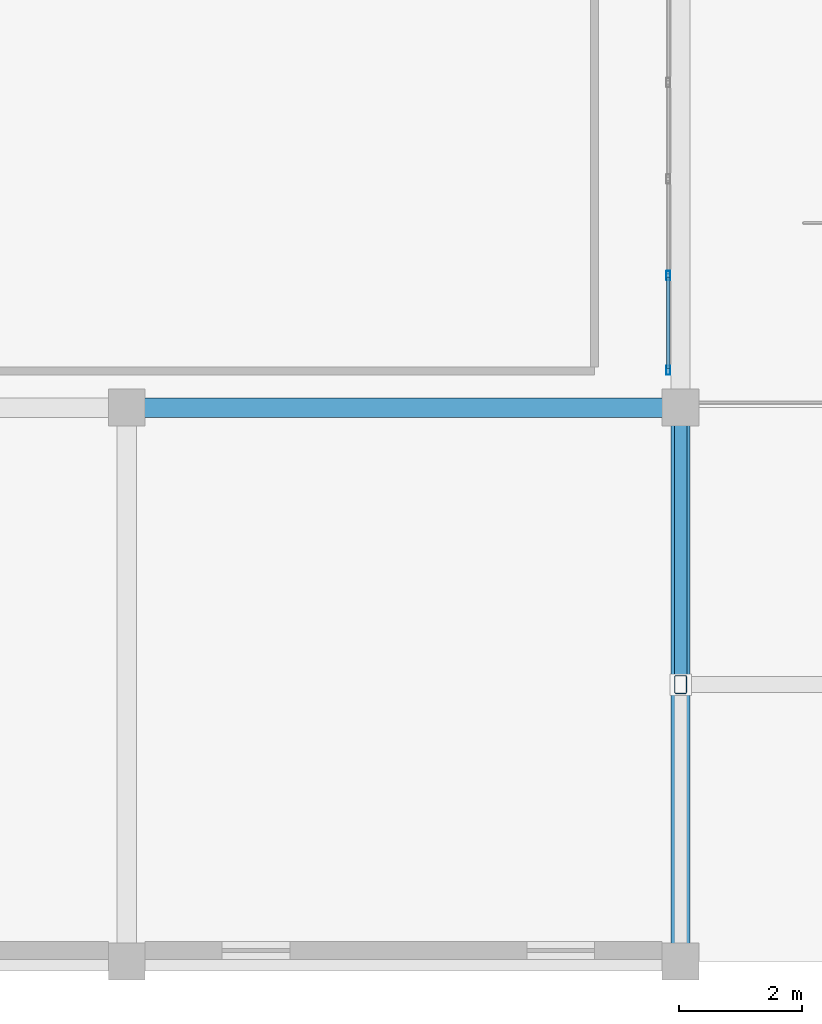
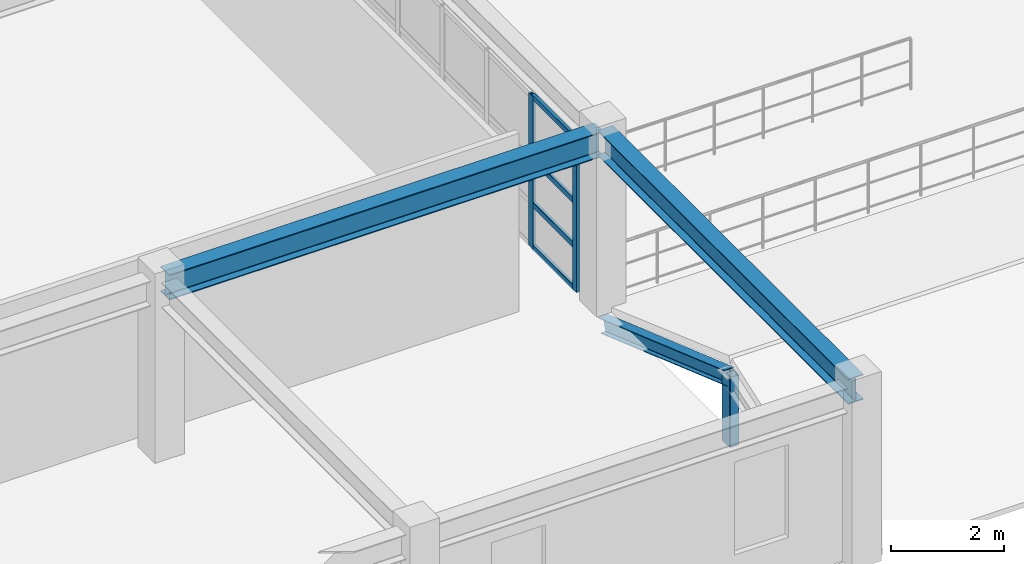
# One storey, part 34 of 110: 8 members, 2 beams, 1 element without a shape of its own.
"""IFC4 building model written with IfcOpenShell, lengths in metres."""

from ifc_helpers import new_model, si_unit, direction, frame, origin, origin_2d, place, context, subcontext, project, spatial, hollow_rectangle, i_section, extrude, material, material_profile, profile_set, type_object, element, aggregate, save


model = new_model("IFC4")

# Units and contexts
model_context = context("Model", 3, precision=1e-05, world=origin(), true_north=direction((0.0, 1.0)))
body_context = subcontext(model_context, "Body", "Model", "MODEL_VIEW")
ifc_project = project(units=[si_unit("LENGTHUNIT", "METRE"), si_unit("AREAUNIT", "SQUARE_METRE"), si_unit("VOLUMEUNIT", "CUBIC_METRE"), si_unit("PLANEANGLEUNIT", "RADIAN"), si_unit("MASSUNIT", "GRAM", prefix="KILO")], contexts=[model_context])

# Site, building, storey
site_placement = place(None, origin())
site = spatial("IfcSite", under=ifc_project, at=site_placement, CompositionType="ELEMENT")
building_placement = place(site_placement, origin())
building = spatial("IfcBuilding", under=site, at=building_placement, Name="Miravela Opera House", CompositionType="ELEMENT")
storey_placement = place(building_placement, frame((0.0, 0.0, 13.60009765625)))
storey = spatial("IfcBuildingStorey", under=building, at=storey_placement, Name="L03", CompositionType="ELEMENT", Elevation=13.60009765625)

# Curtain wall, members
ifc_material_1 = material(Name="Anodised architectural bronze aluminium 6063-T6", Category="aluminium")
curtain_wall_type = type_object("IfcCurtainWallType", Name="ARC-CW-08", PredefinedType="NOTDEFINED", material=ifc_material_1)
curtain_wall_placement = place(storey_placement, origin())
curtain_wall = element("IfcCurtainWall", 1, at=curtain_wall_placement, inside=storey, type_object=curtain_wall_type, Name="Courtyard Arcade Curtain Wall CW-L03-201", PredefinedType="NOTDEFINED")
ifc_material_profile_1 = material_profile(ifc_material_1, hollow_rectangle(XDim=0.06005859375, YDim=0.14990234375, WallThickness=0.00390625, InnerFilletRadius=0.001953125, OuterFilletRadius=0.00390625, at=origin_2d()), Name="CWM-60X150")
ifc_profile_set_1 = profile_set([ifc_material_profile_1])
member_type_1 = type_object("IfcMemberType", Name="ARC-CWM-150", PredefinedType="MULLION", material=ifc_profile_set_1)
member_1_placement = place(storey_placement, frame((89.800048828125, 9.610107421875, 0.0), z_axis=(0.0, 0.0, 1.0), x_axis=(-1.0, 0.0, 0.0)))
member_1 = element("IfcMember", 2, at=member_1_placement, type_object=member_type_1, Name="CW-08 mullion 1", PredefinedType="MULLION", context=body_context, shape_type="SweptSolid", body=[
    extrude(hollow_rectangle(XDim=0.06005859375, YDim=0.14990234375, WallThickness=0.00390625, InnerFilletRadius=0.001953125, OuterFilletRadius=0.00390625, at=origin_2d()), origin(), (0.0, 0.0, 1.0), 3.289794921875),
])
member_2_placement = place(storey_placement, frame((89.800048828125, 11.14794921875, 0.0), z_axis=(0.0, 0.0, 1.0), x_axis=(-1.0, 0.0, 0.0)))
member_2 = element("IfcMember", 3, at=member_2_placement, type_object=member_type_1, Name="CW-08 mullion 2", PredefinedType="MULLION", context=body_context, shape_type="SweptSolid", body=[
    extrude(hollow_rectangle(XDim=0.06005859375, YDim=0.14990234375, WallThickness=0.00390625, InnerFilletRadius=0.001953125, OuterFilletRadius=0.00390625, at=origin_2d()), origin(), (0.0, 0.0, 1.0), 3.289794921875),
])
ifc_material_profile_2 = material_profile(ifc_material_1, hollow_rectangle(XDim=0.06005859375, YDim=0.114990234375, WallThickness=0.00390625, InnerFilletRadius=0.001953125, OuterFilletRadius=0.00390625, at=origin_2d()), Name="CWT-60X115")
ifc_profile_set_2 = profile_set([ifc_material_profile_2])
member_type_2 = type_object("IfcMemberType", Name="ARC-CWT-115", PredefinedType="USERDEFINED", material=ifc_profile_set_2)
member_3_placement = place(storey_placement, frame((89.800048828125, 9.639892578125, 0.02978515625), z_axis=(0.0, 1.0, 0.0), x_axis=(-1.0, 0.0, 0.0)))
member_3 = element("IfcMember", 4, at=member_3_placement, type_object=member_type_2, Name="CW-08 transom 1.1", ObjectType="TRANSOM", PredefinedType="USERDEFINED", context=body_context, shape_type="SweptSolid", body=[
    extrude(hollow_rectangle(XDim=0.06005859375, YDim=0.114990234375, WallThickness=0.00390625, InnerFilletRadius=0.001953125, OuterFilletRadius=0.00390625, at=origin_2d()), origin(), (0.0, 0.0, 1.0), 1.47802734375),
])
member_4_placement = place(storey_placement, frame((89.800048828125, 9.639892578125, 0.949951171875), z_axis=(0.0, 1.0, 0.0), x_axis=(-1.0, 0.0, 0.0)))
member_4 = element("IfcMember", 5, at=member_4_placement, type_object=member_type_2, Name="CW-08 transom 1.2", ObjectType="TRANSOM", PredefinedType="USERDEFINED", context=body_context, shape_type="SweptSolid", body=[
    extrude(hollow_rectangle(XDim=0.06005859375, YDim=0.114990234375, WallThickness=0.00390625, InnerFilletRadius=0.001953125, OuterFilletRadius=0.00390625, at=origin_2d()), origin(), (0.0, 0.0, 1.0), 1.47802734375),
])
member_5_placement = place(storey_placement, frame((89.800048828125, 9.639892578125, 1.908203125), z_axis=(0.0, 1.0, 0.0), x_axis=(-1.0, 0.0, 0.0)))
member_5 = element("IfcMember", 6, at=member_5_placement, type_object=member_type_2, Name="CW-08 transom 1.3", ObjectType="TRANSOM", PredefinedType="USERDEFINED", context=body_context, shape_type="SweptSolid", body=[
    extrude(hollow_rectangle(XDim=0.06005859375, YDim=0.114990234375, WallThickness=0.00390625, InnerFilletRadius=0.001953125, OuterFilletRadius=0.00390625, at=origin_2d()), origin(), (0.0, 0.0, 1.0), 1.47802734375),
])
member_6_placement = place(storey_placement, frame((89.800048828125, 9.639892578125, 3.260009765625), z_axis=(0.0, 1.0, 0.0), x_axis=(-1.0, 0.0, 0.0)))
member_6 = element("IfcMember", 7, at=member_6_placement, type_object=member_type_2, Name="CW-08 transom 1.4", ObjectType="TRANSOM", PredefinedType="USERDEFINED", context=body_context, shape_type="SweptSolid", body=[
    extrude(hollow_rectangle(XDim=0.06005859375, YDim=0.114990234375, WallThickness=0.00390625, InnerFilletRadius=0.001953125, OuterFilletRadius=0.00390625, at=origin_2d()), origin(), (0.0, 0.0, 1.0), 1.47802734375),
])
aggregate(curtain_wall, [member_1, member_2, member_3, member_4, member_5, member_6])

# Beams
ifc_material_2 = material(Name="Structural steel ASTM A992 Gr. 50", Category="steel")
ifc_material_profile_3 = material_profile(ifc_material_2, i_section(OverallWidth=0.31201171875, OverallDepth=0.54296875, WebThickness=0.0126953125, FlangeThickness=0.020263671875, FilletRadius=0.01611328125, at=origin_2d()), Name="W530X150")
ifc_profile_set_3 = profile_set([ifc_material_profile_3])
beam_type = type_object("IfcBeamType", Name="STR-BM-W530X150", PredefinedType="BEAM", material=ifc_profile_set_3)
for number, where, z_axis, x_axis, name in (
    (8, (81.080078125, 9.0, 3.568359375), (1.0, 0.0, 0.0), (0.0, 1.0, 0.0), "Roof Eave Girder ROOF-V4-WEST-S N8"),
    (9, (90.0, 0.080078125, 3.568359375), (0.0, 1.0, 0.0), (-1.0, 0.0, 0.0), "Roof King-Post Transverse Tie Girder ROOF-V4-WEST-S T8.1"),
):
    element("IfcBeam", number, at=place(storey_placement, frame(where, z_axis=z_axis, x_axis=x_axis)), inside=storey, type_object=beam_type, Name=name, PredefinedType="BEAM", context=body_context, shape_type="SweptSolid", body=[
        extrude(i_section(OverallWidth=0.31201171875, OverallDepth=0.54296875, WebThickness=0.0126953125, FlangeThickness=0.020263671875, FilletRadius=0.01611328125, at=origin_2d()), origin(), (0.0, 0.0, 1.0), 8.83984375),
    ])

# Members
ifc_material_3 = material(Name="Hollow structural steel ASTM A500 Gr. C", Category="steel")
ifc_material_profile_4 = material_profile(ifc_material_3, hollow_rectangle(XDim=0.199951171875, YDim=0.300048828125, WallThickness=0.011962890625, InnerFilletRadius=0.011962890625, OuterFilletRadius=0.02392578125, at=origin_2d()), Name="HSS300X200X12")
ifc_profile_set_4 = profile_set([ifc_material_profile_4])
member_type_3 = type_object("IfcMemberType", Name="STR-MEM-POST-HSS300X200", PredefinedType="POST", material=ifc_profile_set_4)
member_7_placement = place(storey_placement, frame((90.0, 4.5, -0.25), z_axis=(0.0, 0.0, 1.0), x_axis=(1.0, 0.0, 0.0)))
element("IfcMember", 10, at=member_7_placement, inside=storey, type_object=member_type_3, Name="Roof Gable King Post ROOF-V4-SE W", PredefinedType="POST", context=body_context, shape_type="SweptSolid", body=[
    extrude(hollow_rectangle(XDim=0.199951171875, YDim=0.300048828125, WallThickness=0.011962890625, InnerFilletRadius=0.011962890625, OuterFilletRadius=0.02392578125, at=origin_2d()), origin(), (0.0, 0.0, 1.0), 1.510009765625),
])
ifc_material_profile_5 = material_profile(ifc_material_2, i_section(OverallWidth=0.202880859375, OverallDepth=0.302978515625, WebThickness=0.007568359375, FlangeThickness=0.01318359375, FilletRadius=0.012939453125, at=origin_2d()), Name="W310X60")
ifc_profile_set_5 = profile_set([ifc_material_profile_5])
member_type_4 = type_object("IfcMemberType", Name="STR-MEM-RAFTER-2", PredefinedType="RAFTER", material=ifc_profile_set_5)
member_8_placement = place(storey_placement, frame((90.0, 8.949951171875, -0.400146484375), z_axis=(0.0, -0.943687918104, 0.3308369889), x_axis=(1.0, 0.0, 0.0)))
element("IfcMember", 11, at=member_8_placement, inside=storey, type_object=member_type_4, Name="Pitched Roof Rafter ROOF-V4-SE N0", PredefinedType="RAFTER", context=body_context, shape_type="SweptSolid", body=[
    extrude(i_section(OverallWidth=0.202880859375, OverallDepth=0.302978515625, WebThickness=0.007568359375, FlangeThickness=0.01318359375, FilletRadius=0.012939453125, at=origin_2d()), origin(), (0.0, 0.0, 1.0), 4.715576171875),
])

save(model, "model.ifc")
